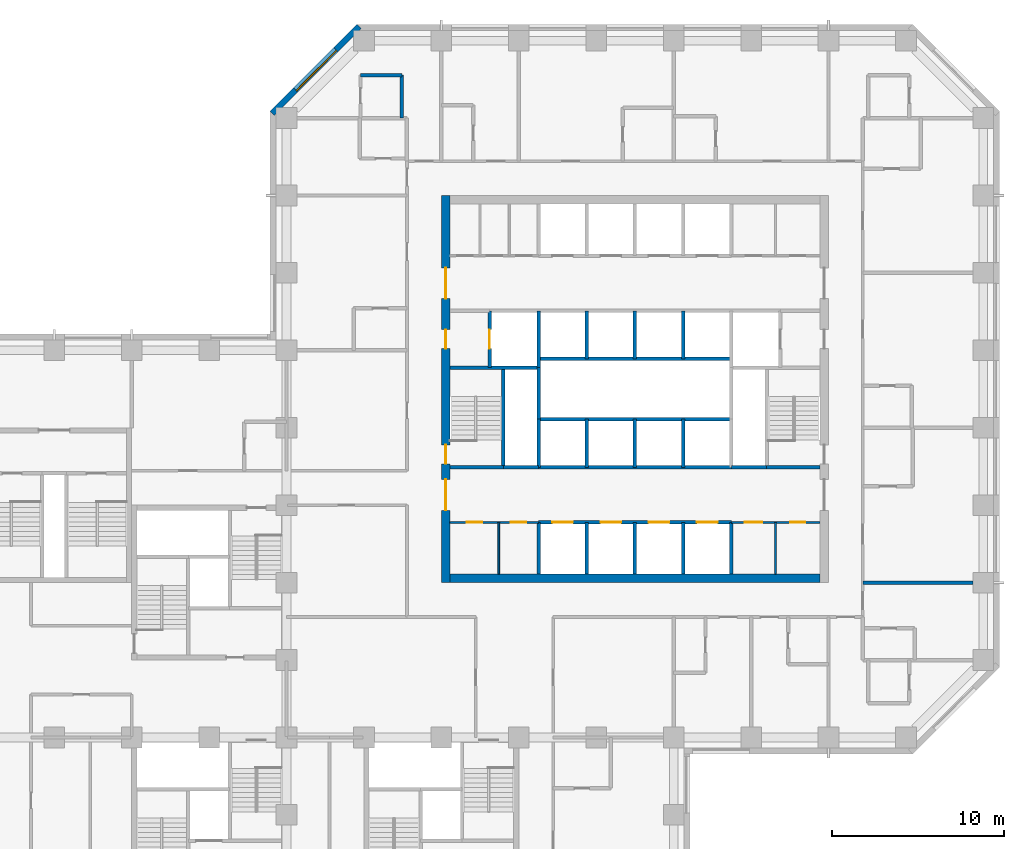
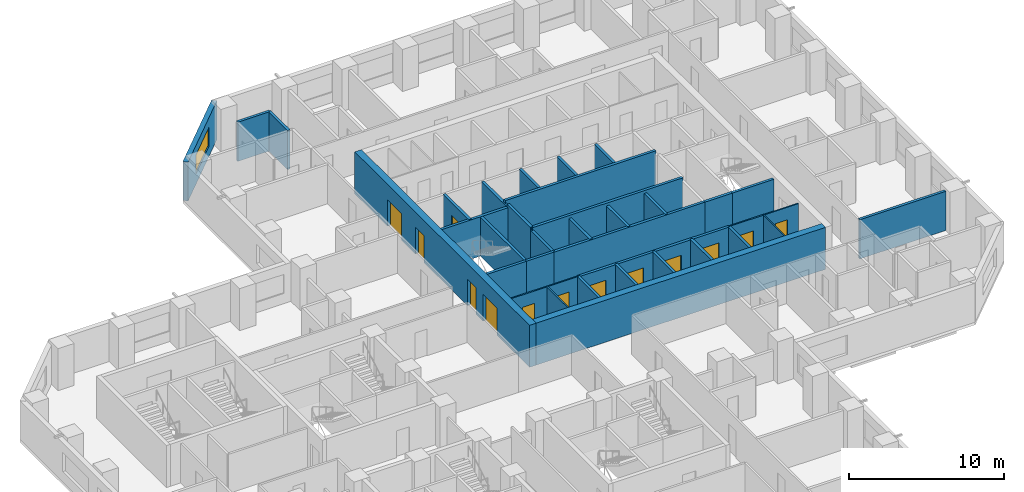
# One storey, part 8 of 13: 35 walls, 13 doors, 1 window, 14 openings.
"""IFC4 building model written with IfcOpenShell, lengths in metres."""

from ifc_helpers import new_model, si_unit, direction, frame, frame_2d, origin, place, context, subcontext, project, spatial, rectangle, extrude, material, layer, layer_set, constituent, constituent_set, type_object, element, fill, save


model = new_model("IFC4")

# Units and contexts
model_context = context("Model", 3, precision=1e-05, world=origin(), true_north=direction((0.0, 1.0)))
body_context = subcontext(model_context, "Body", "Model", "MODEL_VIEW")
ifc_project = project(units=[si_unit("LENGTHUNIT", "METRE"), si_unit("AREAUNIT", "SQUARE_METRE"), si_unit("VOLUMEUNIT", "CUBIC_METRE"), si_unit("PLANEANGLEUNIT", "RADIAN"), si_unit("MASSUNIT", "GRAM", prefix="KILO")], contexts=[model_context])

# Site, building, storey
site_placement = place(None, origin())
site = spatial("IfcSite", under=ifc_project, at=site_placement, CompositionType="ELEMENT")
building_placement = place(site_placement, origin())
building = spatial("IfcBuilding", under=site, at=building_placement, Name="Quoin Convention Tower", CompositionType="ELEMENT")
storey_placement = place(building_placement, frame((0.0, 0.0, 49.5)))
storey = spatial("IfcBuildingStorey", under=building, at=storey_placement, Name="L12", CompositionType="ELEMENT", Elevation=49.5)

# Wall, opening, window
ifc_material_1 = material(Name="Brick masonry", Category="masonry")
ifc_layer_1 = layer(ifc_material_1, 0.35009765625)
ifc_layer_set_1 = layer_set([ifc_layer_1], Name="Brick masonry")
wall_type_1 = type_object("IfcWallType", Name="Brick facade wall", PredefinedType="STANDARD", material=ifc_layer_set_1)
wall_1_placement = place(storey_placement, frame((40.230224609375, 81.826416015625, 0.0), z_axis=(0.0, 0.0, 1.0), x_axis=(-0.707106781187, -0.707106781187, 0.0)))
wall_1 = element("IfcWall", 1, at=wall_1_placement, inside=storey, type_object=wall_type_1, Name="fw-L12-40500_81000", PredefinedType="STANDARD", context=body_context, shape_type="SweptSolid", body=[
    extrude(rectangle(XDim=7.151123046875, YDim=0.35009765625, at=frame_2d((3.57568359375, 0.0))), origin(), (0.0, 0.0, 1.0), 3.054931640625),
])
opening_1_placement = place(wall_1_placement, frame((1.925537109375, 0.0, 0.800048828125)))
opening_1 = element("IfcOpeningElement", 2, at=opening_1_placement, cuts=wall_1, Name="Opening W-01", PredefinedType="OPENING", context=body_context, shape_type="SweptSolid", body=[
    extrude(rectangle(XDim=3.300048828125, YDim=1.5, at=frame_2d((1.64990234375, 0.75))), frame((0.0, 0.18505859375, 0.0), z_axis=(0.0, -1.0, 0.0), x_axis=(1.0, 0.0, 0.0)), (0.0, 0.0, 1.0), 0.3701171875),
])
ifc_material_2 = material(Name="Aluminium", Category="aluminium")
ifc_constituent_1 = constituent(ifc_material_2, Name="Frame")
ifc_material_3 = material(Name="Insulated glass", Category="glass")
ifc_constituent_2 = constituent(ifc_material_3, Name="Glazing")
ifc_constituent_set = constituent_set(constituents=[ifc_constituent_1, ifc_constituent_2], Name="Aluminium")
window_type = type_object("IfcWindowType", Name="Hotel strip window", PartitioningType="DOUBLE_PANEL_VERTICAL", PredefinedType="WINDOW", material=ifc_constituent_set)
window_placement = place(opening_1_placement, origin())
window = element("IfcWindow", 3, at=window_placement, inside=storey, type_object=window_type, Name="win-L12-37702_79298", OverallHeight=1.5, OverallWidth=3.300048828125, PartitioningType="SINGLE_PANEL", PredefinedType="WINDOW", context=body_context, shape_type="SweptSolid", body=[
    extrude(rectangle(XDim=3.300048828125, YDim=1.5, at=frame_2d((1.64990234375, 0.75))), frame((0.0, 0.0849609375, 0.0), z_axis=(0.0, -1.0, 0.0), x_axis=(1.0, 0.0, 0.0)), (0.0, 0.0, 1.0), 0.06005859375),
])
fill(opening_1, window)

# Wall, openings, doors
ifc_material_4 = material(Name="Plasterboard")
ifc_layer_2 = layer(ifc_material_4, 0.012451171875, Name="Finish")
ifc_material_5 = material(Name="Steel stud framing", Category="steel")
ifc_layer_3 = layer(ifc_material_5, 0.074951171875, Name="Structure")
ifc_layer_4 = layer(ifc_material_4, 0.012451171875, Name="Finish")
ifc_layer_set_2 = layer_set([ifc_layer_2, ifc_layer_3, ifc_layer_4], Name="Steel stud framing")
wall_type_2 = type_object("IfcWallType", Name="Core partition wall", PredefinedType="PARTITIONING", material=ifc_layer_set_2)
wall_2_placement = place(storey_placement, frame((45.5, 53.0, 0.0), z_axis=(0.0, 0.0, 1.0), x_axis=(1.0, 0.0, 0.0)))
wall_2 = element("IfcWall", 4, at=wall_2_placement, inside=storey, type_object=wall_type_2, Name="cr-C1-L12-h3500_500", PredefinedType="PARTITIONING", context=body_context, shape_type="SweptSolid", body=[
    extrude(rectangle(XDim=5.14990234375, YDim=0.10009765625, at=frame_2d((2.574951171875, 0.0))), origin(), (0.0, 0.0, 1.0), 3.080078125),
])
opening_2_placement = place(wall_2_placement, frame((0.96630859375, 0.0, 0.0)))
opening_2 = element("IfcOpeningElement", 5, at=opening_2_placement, cuts=wall_2, Name="Opening DCV4-36", PredefinedType="OPENING", context=body_context, shape_type="SweptSolid", body=[
    extrude(rectangle(XDim=0.89990234375, YDim=2.10009765625, at=frame_2d((0.449951171875, 1.050048828125))), frame((0.0, 0.06005859375, 0.0), z_axis=(0.0, -1.0, 0.0), x_axis=(1.0, 0.0, 0.0)), (0.0, 0.0, 1.0), 0.1201171875),
])
opening_3_placement = place(wall_2_placement, frame((3.541259765625, 0.0, 0.0)))
opening_3 = element("IfcOpeningElement", 6, at=opening_3_placement, cuts=wall_2, Name="Opening DCV4-37", PredefinedType="OPENING", context=body_context, shape_type="SweptSolid", body=[
    extrude(rectangle(XDim=0.89990234375, YDim=2.10009765625, at=frame_2d((0.449951171875, 1.050048828125))), frame((0.0, 0.06005859375, 0.0), z_axis=(0.0, -1.0, 0.0), x_axis=(1.0, 0.0, 0.0)), (0.0, 0.0, 1.0), 0.1201171875),
])
ifc_material_6 = material(Name="Steel door leaf", Category="steel")
door_type_1 = type_object("IfcDoorType", Name="Core room door 900 x 2100", OperationType="SINGLE_SWING_LEFT", PredefinedType="DOOR", material=ifc_material_6)
door_1_placement = place(opening_2_placement, frame((0.89990234375, 0.0, 0.0), z_axis=(0.0, 0.0, 1.0), x_axis=(-1.0, 0.0, 0.0)))
door_1 = element("IfcDoor", 7, at=door_1_placement, inside=storey, type_object=door_type_1, Name="cd-C1-L12-CSW0-lobA-CD1214", OperationType="SINGLE_SWING_LEFT", OverallHeight=2.10009765625, OverallWidth=0.89990234375, PredefinedType="DOOR", context=body_context, shape_type="SweptSolid", body=[
    extrude(rectangle(XDim=0.89990234375, YDim=2.10009765625, at=frame_2d((0.449951171875, 1.050048828125))), frame((0.0, 0.02490234375, 0.0), z_axis=(0.0, -1.0, 0.0), x_axis=(1.0, 0.0, 0.0)), (0.0, 0.0, 1.0), 0.050048828125),
])
fill(opening_2, door_1)
door_2_placement = place(opening_3_placement, frame((0.89990234375, 0.0, 0.0), z_axis=(0.0, 0.0, 1.0), x_axis=(-1.0, 0.0, 0.0)))
door_2 = element("IfcDoor", 8, at=door_2_placement, inside=storey, type_object=door_type_1, Name="cd-C1-L12-CSW1-lobA-CD1215", OperationType="SINGLE_SWING_LEFT", OverallHeight=2.10009765625, OverallWidth=0.89990234375, PredefinedType="DOOR", context=body_context, shape_type="SweptSolid", body=[
    extrude(rectangle(XDim=0.89990234375, YDim=2.10009765625, at=frame_2d((0.449951171875, 1.050048828125))), frame((0.0, 0.02490234375, 0.0), z_axis=(0.0, -1.0, 0.0), x_axis=(1.0, 0.0, 0.0)), (0.0, 0.0, 1.0), 0.050048828125),
])
fill(opening_3, door_2)

wall_3_placement = place(storey_placement, frame((61.85009765625, 53.0, 0.0), z_axis=(0.0, 0.0, 1.0), x_axis=(1.0, 0.0, 0.0)))
wall_3 = element("IfcWall", 9, at=wall_3_placement, inside=storey, type_object=wall_type_2, Name="cr-C1-L12-h3500_16850", PredefinedType="PARTITIONING", context=body_context, shape_type="SweptSolid", body=[
    extrude(rectangle(XDim=5.14990234375, YDim=0.10009765625, at=frame_2d((2.574951171875, 0.0))), origin(), (0.0, 0.0, 1.0), 3.080078125),
])
opening_4_placement = place(wall_3_placement, frame((3.41259765625, 0.0, 0.0)))
opening_4 = element("IfcOpeningElement", 10, at=opening_4_placement, cuts=wall_3, Name="Opening DCV4-23", PredefinedType="OPENING", context=body_context, shape_type="SweptSolid", body=[
    extrude(rectangle(XDim=0.89990234375, YDim=2.10009765625, at=frame_2d((0.449951171875, 1.050048828125))), frame((0.0, 0.06005859375, 0.0), z_axis=(0.0, -1.0, 0.0), x_axis=(1.0, 0.0, 0.0)), (0.0, 0.0, 1.0), 0.1201171875),
])
opening_5_placement = place(wall_3_placement, frame((0.78759765625, 0.0, 0.0)))
opening_5 = element("IfcOpeningElement", 11, at=opening_5_placement, cuts=wall_3, Name="Opening DCV4-21", PredefinedType="OPENING", context=body_context, shape_type="SweptSolid", body=[
    extrude(rectangle(XDim=1.0, YDim=2.10009765625, at=frame_2d((0.5, 1.050048828125))), frame((0.0, 0.06005859375, 0.0), z_axis=(0.0, -1.0, 0.0), x_axis=(1.0, 0.0, 0.0)), (0.0, 0.0, 1.0), 0.1201171875),
])
door_type_2 = type_object("IfcDoorType", Name="Core room door 1000 x 2100", OperationType="SINGLE_SWING_LEFT", PredefinedType="DOOR", material=ifc_material_6)
door_3_placement = place(opening_5_placement, frame((1.0, 0.0, 0.0), z_axis=(0.0, 0.0, 1.0), x_axis=(-1.0, 0.0, 0.0)))
door_3 = element("IfcDoor", 12, at=door_3_placement, inside=storey, type_object=door_type_2, Name="cd-C1-L12-CSE1-lobA-CD1213", OperationType="SINGLE_SWING_RIGHT", OverallHeight=2.10009765625, OverallWidth=1.0, PredefinedType="DOOR", context=body_context, shape_type="SweptSolid", body=[
    extrude(rectangle(XDim=1.0, YDim=2.10009765625, at=frame_2d((0.5, 1.050048828125))), frame((0.0, 0.02490234375, 0.0), z_axis=(0.0, -1.0, 0.0), x_axis=(1.0, 0.0, 0.0)), (0.0, 0.0, 1.0), 0.050048828125),
])
fill(opening_5, door_3)
door_4_placement = place(opening_4_placement, frame((0.89990234375, 0.0, 0.0), z_axis=(0.0, 0.0, 1.0), x_axis=(-1.0, 0.0, 0.0)))
door_4 = element("IfcDoor", 13, at=door_4_placement, inside=storey, type_object=door_type_1, Name="cd-C1-L12-CSE0-lobA-CD1212", OperationType="SINGLE_SWING_LEFT", OverallHeight=2.10009765625, OverallWidth=0.89990234375, PredefinedType="DOOR", context=body_context, shape_type="SweptSolid", body=[
    extrude(rectangle(XDim=0.89990234375, YDim=2.10009765625, at=frame_2d((0.449951171875, 1.050048828125))), frame((0.0, 0.02490234375, 0.0), z_axis=(0.0, -1.0, 0.0), x_axis=(1.0, 0.0, 0.0)), (0.0, 0.0, 1.0), 0.050048828125),
])
fill(opening_4, door_4)

# Walls
for number, where, z_axis, x_axis, name in (
    (14, (48.33251953125, 50.0, 0.0), (0.0, 0.0, 1.0), (0.0, 1.0, 0.0), "cr-C1-L12-v3332_500"),
    (15, (64.425048828125, 50.0, 0.0), (0.0, 0.0, 1.0), (0.0, 1.0, 0.0), "cr-C1-L12-v19425_500"),
):
    element("IfcWall", number, at=place(storey_placement, frame(where, z_axis=z_axis, x_axis=x_axis)), inside=storey, type_object=wall_type_2, Name=name, PredefinedType="PARTITIONING", context=body_context, shape_type="SweptSolid", body=[
        extrude(rectangle(XDim=3.0, YDim=0.10009765625, at=frame_2d((1.5, 0.0))), origin(), (0.0, 0.0, 1.0), 3.080078125),
    ])

# Wall, openings, doors
ifc_material_7 = material(Name="Concrete C50", Category="concrete")
ifc_layer_5 = layer(ifc_material_7, 0.199951171875)
ifc_layer_set_3 = layer_set([ifc_layer_5], Name="Concrete C50")
wall_type_3 = type_object("IfcWallType", Name="Core shaft wall", PredefinedType="SOLIDWALL", material=ifc_layer_set_3)
wall_4_placement = place(storey_placement, frame((50.64990234375, 53.0, 0.0), z_axis=(0.0, 0.0, 1.0), x_axis=(1.0, 0.0, 0.0)))
wall_4 = element("IfcWall", 16, at=wall_4_placement, inside=storey, type_object=wall_type_3, Name="cr-C1-L12-h3500_5650", PredefinedType="SOLIDWALL", context=body_context, shape_type="SweptSolid", body=[
    extrude(rectangle(XDim=11.2001953125, YDim=0.199951171875, at=frame_2d((5.60009765625, 0.0))), origin(), (0.0, 0.0, 1.0), 3.080078125),
])
opening_6_placement = place(wall_4_placement, frame((0.800048828125, 0.0, 0.0)))
opening_6 = element("IfcOpeningElement", 17, at=opening_6_placement, cuts=wall_4, Name="Opening LDL1", PredefinedType="OPENING", context=body_context, shape_type="SweptSolid", body=[
    extrude(rectangle(XDim=1.199951171875, YDim=2.10009765625, at=frame_2d((0.60009765625, 1.050048828125))), frame((0.0, 0.10986328125, 0.0), z_axis=(0.0, -1.0, 0.0), x_axis=(1.0, 0.0, 0.0)), (0.0, 0.0, 1.0), 0.219970703125),
])
opening_7_placement = place(wall_4_placement, frame((3.60009765625, 0.0, 0.0)))
opening_7 = element("IfcOpeningElement", 18, at=opening_7_placement, cuts=wall_4, Name="Opening LDL2", PredefinedType="OPENING", context=body_context, shape_type="SweptSolid", body=[
    extrude(rectangle(XDim=1.199951171875, YDim=2.10009765625, at=frame_2d((0.60009765625, 1.050048828125))), frame((0.0, 0.10986328125, 0.0), z_axis=(0.0, -1.0, 0.0), x_axis=(1.0, 0.0, 0.0)), (0.0, 0.0, 1.0), 0.219970703125),
])
opening_8_placement = place(wall_4_placement, frame((6.39990234375, 0.0, 0.0)))
opening_8 = element("IfcOpeningElement", 19, at=opening_8_placement, cuts=wall_4, Name="Opening LDL3", PredefinedType="OPENING", context=body_context, shape_type="SweptSolid", body=[
    extrude(rectangle(XDim=1.199951171875, YDim=2.10009765625, at=frame_2d((0.60009765625, 1.050048828125))), frame((0.0, 0.10986328125, 0.0), z_axis=(0.0, -1.0, 0.0), x_axis=(1.0, 0.0, 0.0)), (0.0, 0.0, 1.0), 0.219970703125),
])
opening_9_placement = place(wall_4_placement, frame((9.199951171875, 0.0, 0.0)))
opening_9 = element("IfcOpeningElement", 20, at=opening_9_placement, cuts=wall_4, Name="Opening LDL4", PredefinedType="OPENING", context=body_context, shape_type="SweptSolid", body=[
    extrude(rectangle(XDim=1.199951171875, YDim=2.10009765625, at=frame_2d((0.60009765625, 1.050048828125))), frame((0.0, 0.10986328125, 0.0), z_axis=(0.0, -1.0, 0.0), x_axis=(1.0, 0.0, 0.0)), (0.0, 0.0, 1.0), 0.219970703125),
])
door_type_3 = type_object("IfcDoorType", Name="Lift landing door 1200 x 2100", OperationType="DOUBLE_DOOR_SLIDING", PredefinedType="DOOR", material=ifc_material_6)
door_5_placement = place(opening_6_placement, origin())
door_5 = element("IfcDoor", 21, at=door_5_placement, inside=storey, type_object=door_type_3, Name="cd-C1-L12-R10-lobA-LDL1", OperationType="DOUBLE_DOOR_SLIDING", OverallHeight=2.10009765625, OverallWidth=1.199951171875, PredefinedType="DOOR", context=body_context, shape_type="SweptSolid", body=[
    extrude(rectangle(XDim=1.199951171875, YDim=2.10009765625, at=frame_2d((0.60009765625, 1.050048828125))), frame((0.0, 0.02490234375, 0.0), z_axis=(0.0, -1.0, 0.0), x_axis=(1.0, 0.0, 0.0)), (0.0, 0.0, 1.0), 0.050048828125),
])
fill(opening_6, door_5)
door_6_placement = place(opening_7_placement, origin())
door_6 = element("IfcDoor", 22, at=door_6_placement, inside=storey, type_object=door_type_3, Name="cd-C1-L12-R11-lobA-LDL2", OperationType="DOUBLE_DOOR_SLIDING", OverallHeight=2.10009765625, OverallWidth=1.199951171875, PredefinedType="DOOR", context=body_context, shape_type="SweptSolid", body=[
    extrude(rectangle(XDim=1.199951171875, YDim=2.10009765625, at=frame_2d((0.60009765625, 1.050048828125))), frame((0.0, 0.02490234375, 0.0), z_axis=(0.0, -1.0, 0.0), x_axis=(1.0, 0.0, 0.0)), (0.0, 0.0, 1.0), 0.050048828125),
])
fill(opening_7, door_6)
door_7_placement = place(opening_8_placement, origin())
door_7 = element("IfcDoor", 23, at=door_7_placement, inside=storey, type_object=door_type_3, Name="cd-C1-L12-R12-lobA-LDL3", OperationType="DOUBLE_DOOR_SLIDING", OverallHeight=2.10009765625, OverallWidth=1.199951171875, PredefinedType="DOOR", context=body_context, shape_type="SweptSolid", body=[
    extrude(rectangle(XDim=1.199951171875, YDim=2.10009765625, at=frame_2d((0.60009765625, 1.050048828125))), frame((0.0, 0.02490234375, 0.0), z_axis=(0.0, -1.0, 0.0), x_axis=(1.0, 0.0, 0.0)), (0.0, 0.0, 1.0), 0.050048828125),
])
fill(opening_8, door_7)
door_8_placement = place(opening_9_placement, origin())
door_8 = element("IfcDoor", 24, at=door_8_placement, inside=storey, type_object=door_type_3, Name="cd-C1-L12-R13-lobA-LDL4", OperationType="DOUBLE_DOOR_SLIDING", OverallHeight=2.10009765625, OverallWidth=1.199951171875, PredefinedType="DOOR", context=body_context, shape_type="SweptSolid", body=[
    extrude(rectangle(XDim=1.199951171875, YDim=2.10009765625, at=frame_2d((0.60009765625, 1.050048828125))), frame((0.0, 0.02490234375, 0.0), z_axis=(0.0, -1.0, 0.0), x_axis=(1.0, 0.0, 0.0)), (0.0, 0.0, 1.0), 0.050048828125),
])
fill(opening_9, door_8)

# Walls
for number, where, z_axis, x_axis, name in (
    (25, (48.60009765625, 56.199951171875, 0.0), (0.0, 0.0, 1.0), (1.0, 0.0, 0.0), "cr-C1-L12-h6700_3600"),
    (26, (61.85009765625, 56.199951171875, 0.0), (0.0, 0.0, 1.0), (1.0, 0.0, 0.0), "cr-C1-L12-h6700_16850"),
):
    element("IfcWall", number, at=place(storey_placement, frame(where, z_axis=z_axis, x_axis=x_axis)), inside=storey, type_object=wall_type_3, Name=name, PredefinedType="SOLIDWALL", context=body_context, shape_type="SweptSolid", body=[
        extrude(rectangle(XDim=2.0498046875, YDim=0.199951171875, at=frame_2d((1.02490234375, 0.0))), origin(), (0.0, 0.0, 1.0), 3.080078125),
    ])
wall_5_placement = place(storey_placement, frame((45.5, 56.199951171875, 0.0), z_axis=(0.0, 0.0, 1.0), x_axis=(1.0, 0.0, 0.0)))
element("IfcWall", 27, at=wall_5_placement, inside=storey, type_object=wall_type_3, Name="cr-C1-L12-h6700_500", PredefinedType="SOLIDWALL", context=body_context, shape_type="SweptSolid", body=[
    extrude(rectangle(XDim=3.10009765625, YDim=0.199951171875, at=frame_2d((1.550048828125, 0.0))), origin(), (0.0, 0.0, 1.0), 3.080078125),
])
wall_6_placement = place(storey_placement, frame((50.64990234375, 56.199951171875, 0.0), z_axis=(0.0, 0.0, 1.0), x_axis=(1.0, 0.0, 0.0)))
element("IfcWall", 28, at=wall_6_placement, inside=storey, type_object=wall_type_3, Name="cr-C1-L12-h6700_5650", PredefinedType="SOLIDWALL", context=body_context, shape_type="SweptSolid", body=[
    extrude(rectangle(XDim=11.2001953125, YDim=0.199951171875, at=frame_2d((5.60009765625, 0.0))), origin(), (0.0, 0.0, 1.0), 3.080078125),
])
wall_7_placement = place(storey_placement, frame((63.89990234375, 56.199951171875, 0.0), z_axis=(0.0, 0.0, 1.0), x_axis=(1.0, 0.0, 0.0)))
element("IfcWall", 29, at=wall_7_placement, inside=storey, type_object=wall_type_3, Name="cr-C1-L12-h6700_18900", PredefinedType="SOLIDWALL", context=body_context, shape_type="SweptSolid", body=[
    extrude(rectangle(XDim=3.10009765625, YDim=0.199951171875, at=frame_2d((1.550048828125, 0.0))), origin(), (0.0, 0.0, 1.0), 3.080078125),
])
wall_8_placement = place(storey_placement, frame((45.5, 62.0, 0.0), z_axis=(0.0, 0.0, 1.0), x_axis=(1.0, 0.0, 0.0)))
element("IfcWall", 30, at=wall_8_placement, inside=storey, type_object=wall_type_3, Name="cr-C1-L12-h12500_500", PredefinedType="SOLIDWALL", context=body_context, shape_type="SweptSolid", body=[
    extrude(rectangle(XDim=5.14990234375, YDim=0.199951171875, at=frame_2d((2.574951171875, 0.0))), origin(), (0.0, 0.0, 1.0), 3.080078125),
])

# Wall, opening, door
wall_9_placement = place(storey_placement, frame((47.800048828125, 62.0, 0.0), z_axis=(0.0, 0.0, 1.0), x_axis=(0.0, 1.0, 0.0)))
wall_9 = element("IfcWall", 31, at=wall_9_placement, inside=storey, type_object=wall_type_3, Name="cr-C1-L12-v2800_12500", PredefinedType="SOLIDWALL", context=body_context, shape_type="SweptSolid", body=[
    extrude(rectangle(XDim=3.300048828125, YDim=0.199951171875, at=frame_2d((1.64990234375, 0.0))), origin(), (0.0, 0.0, 1.0), 3.080078125),
])
opening_10_placement = place(wall_9_placement, frame((1.10009765625, 0.0, 0.0)))
opening_10 = element("IfcOpeningElement", 32, at=opening_10_placement, cuts=wall_9, Name="Opening LDFL1", PredefinedType="OPENING", context=body_context, shape_type="SweptSolid", body=[
    extrude(rectangle(XDim=1.10009765625, YDim=2.10009765625, at=frame_2d((0.550048828125, 1.050048828125))), frame((0.0, 0.10986328125, 0.0), z_axis=(0.0, -1.0, 0.0), x_axis=(1.0, 0.0, 0.0)), (0.0, 0.0, 1.0), 0.219970703125),
])
door_type_4 = type_object("IfcDoorType", Name="Lift landing door 1100 x 2100", OperationType="DOUBLE_DOOR_SLIDING", PredefinedType="DOOR", material=ifc_material_6)
door_9_placement = place(opening_10_placement, origin())
door_9 = element("IfcDoor", 33, at=door_9_placement, inside=storey, type_object=door_type_4, Name="cd-C1-L12-FLW-FFW-LDFL1", OperationType="DOUBLE_DOOR_SLIDING", OverallHeight=2.10009765625, OverallWidth=1.10009765625, PredefinedType="DOOR", context=body_context, shape_type="SweptSolid", body=[
    extrude(rectangle(XDim=1.10009765625, YDim=2.10009765625, at=frame_2d((0.550048828125, 1.050048828125))), frame((0.0, 0.02490234375, 0.0), z_axis=(0.0, -1.0, 0.0), x_axis=(1.0, 0.0, 0.0)), (0.0, 0.0, 1.0), 0.050048828125),
])
fill(opening_10, door_9)

# Walls
wall_10_placement = place(storey_placement, frame((48.60009765625, 56.199951171875, 0.0), z_axis=(0.0, 0.0, 1.0), x_axis=(0.0, 1.0, 0.0)))
element("IfcWall", 34, at=wall_10_placement, inside=storey, type_object=wall_type_3, Name="cr-C1-L12-v3600_6700", PredefinedType="SOLIDWALL", context=body_context, shape_type="SweptSolid", body=[
    extrude(rectangle(XDim=5.800048828125, YDim=0.199951171875, at=frame_2d((2.89990234375, 0.0))), origin(), (0.0, 0.0, 1.0), 3.080078125),
])
wall_11_placement = place(storey_placement, frame((50.64990234375, 50.0, 0.0), z_axis=(0.0, 0.0, 1.0), x_axis=(0.0, 1.0, 0.0)))
element("IfcWall", 35, at=wall_11_placement, inside=storey, type_object=wall_type_3, Name="cr-C1-L12-v5650_500", PredefinedType="SOLIDWALL", context=body_context, shape_type="SweptSolid", body=[
    extrude(rectangle(XDim=3.0, YDim=0.199951171875, at=frame_2d((1.5, 0.0))), origin(), (0.0, 0.0, 1.0), 3.080078125),
])
wall_12_placement = place(storey_placement, frame((50.64990234375, 56.199951171875, 0.0), z_axis=(0.0, 0.0, 1.0), x_axis=(0.0, 1.0, 0.0)))
element("IfcWall", 36, at=wall_12_placement, inside=storey, type_object=wall_type_3, Name="cr-C1-L12-v5650_6700", PredefinedType="SOLIDWALL", context=body_context, shape_type="SweptSolid", body=[
    extrude(rectangle(XDim=2.800048828125, YDim=0.199951171875, at=frame_2d((1.39990234375, 0.0))), origin(), (0.0, 0.0, 1.0), 3.080078125),
])
wall_13_placement = place(storey_placement, frame((50.64990234375, 62.0, 0.0), z_axis=(0.0, 0.0, 1.0), x_axis=(0.0, 1.0, 0.0)))
element("IfcWall", 37, at=wall_13_placement, inside=storey, type_object=wall_type_3, Name="cr-C1-L12-v5650_12500", PredefinedType="SOLIDWALL", context=body_context, shape_type="SweptSolid", body=[
    extrude(rectangle(XDim=3.300048828125, YDim=0.199951171875, at=frame_2d((1.64990234375, 0.0))), origin(), (0.0, 0.0, 1.0), 3.080078125),
])
wall_14_placement = place(storey_placement, frame((53.449951171875, 50.0, 0.0), z_axis=(0.0, 0.0, 1.0), x_axis=(0.0, 1.0, 0.0)))
element("IfcWall", 38, at=wall_14_placement, inside=storey, type_object=wall_type_3, Name="cr-C1-L12-v8450_500", PredefinedType="SOLIDWALL", context=body_context, shape_type="SweptSolid", body=[
    extrude(rectangle(XDim=3.0, YDim=0.199951171875, at=frame_2d((1.5, 0.0))), origin(), (0.0, 0.0, 1.0), 3.080078125),
])
for number, where, z_axis, x_axis, name in (
    (39, (53.449951171875, 56.199951171875, 0.0), (0.0, 0.0, 1.0), (0.0, 1.0, 0.0), "cr-C1-L12-v8450_6700"),
    (40, (53.449951171875, 62.5, 0.0), (0.0, 0.0, 1.0), (0.0, 1.0, 0.0), "cr-C1-L12-v8450_13000"),
):
    element("IfcWall", number, at=place(storey_placement, frame(where, z_axis=z_axis, x_axis=x_axis)), inside=storey, type_object=wall_type_3, Name=name, PredefinedType="SOLIDWALL", context=body_context, shape_type="SweptSolid", body=[
        extrude(rectangle(XDim=2.800048828125, YDim=0.199951171875, at=frame_2d((1.39990234375, 0.0))), origin(), (0.0, 0.0, 1.0), 3.080078125),
    ])
wall_15_placement = place(storey_placement, frame((56.25, 50.0, 0.0), z_axis=(0.0, 0.0, 1.0), x_axis=(0.0, 1.0, 0.0)))
element("IfcWall", 41, at=wall_15_placement, inside=storey, type_object=wall_type_3, Name="cr-C1-L12-v11250_500", PredefinedType="SOLIDWALL", context=body_context, shape_type="SweptSolid", body=[
    extrude(rectangle(XDim=3.0, YDim=0.199951171875, at=frame_2d((1.5, 0.0))), origin(), (0.0, 0.0, 1.0), 3.080078125),
])
for number, where, z_axis, x_axis, name in (
    (42, (56.25, 56.199951171875, 0.0), (0.0, 0.0, 1.0), (0.0, 1.0, 0.0), "cr-C1-L12-v11250_6700"),
    (43, (56.25, 62.5, 0.0), (0.0, 0.0, 1.0), (0.0, 1.0, 0.0), "cr-C1-L12-v11250_13000"),
):
    element("IfcWall", number, at=place(storey_placement, frame(where, z_axis=z_axis, x_axis=x_axis)), inside=storey, type_object=wall_type_3, Name=name, PredefinedType="SOLIDWALL", context=body_context, shape_type="SweptSolid", body=[
        extrude(rectangle(XDim=2.800048828125, YDim=0.199951171875, at=frame_2d((1.39990234375, 0.0))), origin(), (0.0, 0.0, 1.0), 3.080078125),
    ])
wall_16_placement = place(storey_placement, frame((59.050048828125, 50.0, 0.0), z_axis=(0.0, 0.0, 1.0), x_axis=(0.0, 1.0, 0.0)))
element("IfcWall", 44, at=wall_16_placement, inside=storey, type_object=wall_type_3, Name="cr-C1-L12-v14050_500", PredefinedType="SOLIDWALL", context=body_context, shape_type="SweptSolid", body=[
    extrude(rectangle(XDim=3.0, YDim=0.199951171875, at=frame_2d((1.5, 0.0))), origin(), (0.0, 0.0, 1.0), 3.080078125),
])
for number, where, z_axis, x_axis, name in (
    (45, (59.050048828125, 56.199951171875, 0.0), (0.0, 0.0, 1.0), (0.0, 1.0, 0.0), "cr-C1-L12-v14050_6700"),
    (46, (59.050048828125, 62.5, 0.0), (0.0, 0.0, 1.0), (0.0, 1.0, 0.0), "cr-C1-L12-v14050_13000"),
):
    element("IfcWall", number, at=place(storey_placement, frame(where, z_axis=z_axis, x_axis=x_axis)), inside=storey, type_object=wall_type_3, Name=name, PredefinedType="SOLIDWALL", context=body_context, shape_type="SweptSolid", body=[
        extrude(rectangle(XDim=2.800048828125, YDim=0.199951171875, at=frame_2d((1.39990234375, 0.0))), origin(), (0.0, 0.0, 1.0), 3.080078125),
    ])
wall_17_placement = place(storey_placement, frame((61.85009765625, 50.0, 0.0), z_axis=(0.0, 0.0, 1.0), x_axis=(0.0, 1.0, 0.0)))
element("IfcWall", 47, at=wall_17_placement, inside=storey, type_object=wall_type_3, Name="cr-C1-L12-v16850_500", PredefinedType="SOLIDWALL", context=body_context, shape_type="SweptSolid", body=[
    extrude(rectangle(XDim=3.0, YDim=0.199951171875, at=frame_2d((1.5, 0.0))), origin(), (0.0, 0.0, 1.0), 3.080078125),
])
ifc_layer_6 = layer(ifc_material_7, 0.199951171875)
ifc_layer_set_4 = layer_set([ifc_layer_6], Name="Concrete C50")
wall_type_4 = type_object("IfcWallType", Name="Core shaft wall to the floor level over", PredefinedType="SOLIDWALL", material=ifc_layer_set_4)
for number, where, z_axis, x_axis, name in (
    (48, (50.64990234375, 59.0, 0.0), (0.0, 0.0, 1.0), (1.0, 0.0, 0.0), "cr-C1-L12-h9500_5650"),
    (49, (50.64990234375, 62.5, 0.0), (0.0, 0.0, 1.0), (1.0, 0.0, 0.0), "cr-C1-L12-h13000_5650"),
):
    element("IfcWall", number, at=place(storey_placement, frame(where, z_axis=z_axis, x_axis=x_axis)), inside=storey, type_object=wall_type_4, Name=name, PredefinedType="SOLIDWALL", context=body_context, shape_type="SweptSolid", body=[
        extrude(rectangle(XDim=11.2001953125, YDim=0.199951171875, at=frame_2d((5.60009765625, 0.0))), origin(), (0.0, 0.0, 1.0), 3.300048828125),
    ])
wall_18_placement = place(storey_placement, frame((50.64990234375, 59.0, 0.0), z_axis=(0.0, 0.0, 1.0), x_axis=(0.0, 1.0, 0.0)))
element("IfcWall", 50, at=wall_18_placement, inside=storey, type_object=wall_type_4, Name="cr-C1-L12-v5650_9500", PredefinedType="SOLIDWALL", context=body_context, shape_type="SweptSolid", body=[
    extrude(rectangle(XDim=3.0, YDim=0.199951171875, at=frame_2d((1.5, 0.0))), origin(), (0.0, 0.0, 1.0), 3.300048828125),
])
ifc_material_8 = material(Name="Concrete C80", Category="concrete")
ifc_layer_7 = layer(ifc_material_8, 0.5)
ifc_layer_set_5 = layer_set([ifc_layer_7], Name="Concrete C80")
wall_type_5 = type_object("IfcWallType", Name="RC CORE WALL 500 C80", PredefinedType="SHEAR", material=ifc_layer_set_5)
wall_19_placement = place(storey_placement, frame((45.5, 49.75, 0.0), z_axis=(0.0, 0.0, 1.0), x_axis=(1.0, 0.0, 0.0)))
element("IfcWall", 51, at=wall_19_placement, inside=storey, type_object=wall_type_5, Name="cwl-C1-L12-S", PredefinedType="SHEAR", context=body_context, shape_type="SweptSolid", body=[
    extrude(rectangle(XDim=21.5, YDim=0.5, at=frame_2d((10.75, 0.0))), origin(), (0.0, 0.0, 1.0), 3.300048828125),
])

# Wall, openings, doors
wall_20_placement = place(storey_placement, frame((45.25, 49.5, 0.0), z_axis=(0.0, 0.0, 1.0), x_axis=(0.0, 1.0, 0.0)))
wall_20 = element("IfcWall", 52, at=wall_20_placement, inside=storey, type_object=wall_type_5, Name="cwl-C1-L12-W", PredefinedType="SHEAR", context=body_context, shape_type="SweptSolid", body=[
    extrude(rectangle(XDim=22.5, YDim=0.5, at=frame_2d((11.25, 0.0))), origin(), (0.0, 0.0, 1.0), 3.300048828125),
])
opening_11_placement = place(wall_20_placement, frame((4.199951171875, 0.0, 0.0)))
opening_11 = element("IfcOpeningElement", 53, at=opening_11_placement, cuts=wall_20, Name="Opening DCV4-41", PredefinedType="OPENING", context=body_context, shape_type="SweptSolid", body=[
    extrude(rectangle(XDim=1.800048828125, YDim=2.10009765625, at=frame_2d((0.89990234375, 1.050048828125))), frame((0.0, 0.260009765625, 0.0), z_axis=(0.0, -1.0, 0.0), x_axis=(1.0, 0.0, 0.0)), (0.0, 0.0, 1.0), 0.52001953125),
])
opening_12_placement = place(wall_20_placement, frame((6.89990234375, 0.0, 0.0)))
opening_12 = element("IfcOpeningElement", 54, at=opening_12_placement, cuts=wall_20, Name="Opening SD1", PredefinedType="OPENING", context=body_context, shape_type="SweptSolid", body=[
    extrude(rectangle(XDim=1.10009765625, YDim=2.10009765625, at=frame_2d((0.550048828125, 1.050048828125))), frame((0.0, 0.260009765625, 0.0), z_axis=(0.0, -1.0, 0.0), x_axis=(1.0, 0.0, 0.0)), (0.0, 0.0, 1.0), 0.52001953125),
])
opening_13_placement = place(wall_20_placement, frame((13.60009765625, 0.0, 0.0)))
opening_13 = element("IfcOpeningElement", 55, at=opening_13_placement, cuts=wall_20, Name="Opening DCV4-40", PredefinedType="OPENING", context=body_context, shape_type="SweptSolid", body=[
    extrude(rectangle(XDim=1.10009765625, YDim=2.10009765625, at=frame_2d((0.550048828125, 1.050048828125))), frame((0.0, 0.260009765625, 0.0), z_axis=(0.0, -1.0, 0.0), x_axis=(1.0, 0.0, 0.0)), (0.0, 0.0, 1.0), 0.52001953125),
])
opening_14_placement = place(wall_20_placement, frame((16.5, 0.0, 0.0)))
opening_14 = element("IfcOpeningElement", 56, at=opening_14_placement, cuts=wall_20, Name="Opening DCV4-41", PredefinedType="OPENING", context=body_context, shape_type="SweptSolid", body=[
    extrude(rectangle(XDim=1.800048828125, YDim=2.10009765625, at=frame_2d((0.89990234375, 1.050048828125))), frame((0.0, 0.260009765625, 0.0), z_axis=(0.0, -1.0, 0.0), x_axis=(1.0, 0.0, 0.0)), (0.0, 0.0, 1.0), 0.52001953125),
])
door_type_5 = type_object("IfcDoorType", Name="Fire-fighting lobby door 1100 x 2100", OperationType="SINGLE_SWING_LEFT", PredefinedType="DOOR", material=ifc_material_6)
door_10_placement = place(opening_13_placement, frame((1.10009765625, 0.0, 0.0), z_axis=(0.0, 0.0, 1.0), x_axis=(-1.0, 0.0, 0.0)))
door_10 = element("IfcDoor", 57, at=door_10_placement, inside=storey, type_object=door_type_5, Name="cd-C1-L12-FFW-W", OperationType="SINGLE_SWING_LEFT", OverallHeight=2.10009765625, OverallWidth=1.10009765625, PredefinedType="DOOR", context=body_context, shape_type="SweptSolid", body=[
    extrude(rectangle(XDim=1.10009765625, YDim=2.10009765625, at=frame_2d((0.550048828125, 1.050048828125))), frame((0.0, 0.02490234375, 0.0), z_axis=(0.0, -1.0, 0.0), x_axis=(1.0, 0.0, 0.0)), (0.0, 0.0, 1.0), 0.050048828125),
])
fill(opening_13, door_10)
door_type_6 = type_object("IfcDoorType", Name="Lift lobby door 1800 x 2100", OperationType="SINGLE_SWING_LEFT", PredefinedType="DOOR", material=ifc_material_6)
door_11_placement = place(opening_11_placement, frame((1.800048828125, 0.0, 0.0), z_axis=(0.0, 0.0, 1.0), x_axis=(-1.0, 0.0, 0.0)))
door_11 = element("IfcDoor", 58, at=door_11_placement, inside=storey, type_object=door_type_6, Name="cd-C1-L12-lobA-W", OperationType="SINGLE_SWING_LEFT", OverallHeight=2.10009765625, OverallWidth=1.800048828125, PredefinedType="DOOR", context=body_context, shape_type="SweptSolid", body=[
    extrude(rectangle(XDim=1.800048828125, YDim=2.10009765625, at=frame_2d((0.89990234375, 1.050048828125))), frame((0.0, 0.02490234375, 0.0), z_axis=(0.0, -1.0, 0.0), x_axis=(1.0, 0.0, 0.0)), (0.0, 0.0, 1.0), 0.050048828125),
])
fill(opening_11, door_11)
door_12_placement = place(opening_14_placement, frame((1.800048828125, 0.0, 0.0), z_axis=(0.0, 0.0, 1.0), x_axis=(-1.0, 0.0, 0.0)))
door_12 = element("IfcDoor", 59, at=door_12_placement, inside=storey, type_object=door_type_6, Name="cd-C1-L12-lobB-W", OperationType="SINGLE_SWING_LEFT", OverallHeight=2.10009765625, OverallWidth=1.800048828125, PredefinedType="DOOR", context=body_context, shape_type="SweptSolid", body=[
    extrude(rectangle(XDim=1.800048828125, YDim=2.10009765625, at=frame_2d((0.89990234375, 1.050048828125))), frame((0.0, 0.02490234375, 0.0), z_axis=(0.0, -1.0, 0.0), x_axis=(1.0, 0.0, 0.0)), (0.0, 0.0, 1.0), 0.050048828125),
])
fill(opening_14, door_12)
door_type_7 = type_object("IfcDoorType", Name="Stair door 1100 x 2100", OperationType="SINGLE_SWING_RIGHT", PredefinedType="DOOR", material=ifc_material_6)
door_13_placement = place(opening_12_placement, frame((1.10009765625, 0.0, 0.0), z_axis=(0.0, 0.0, 1.0), x_axis=(-1.0, 0.0, 0.0)))
door_13 = element("IfcDoor", 60, at=door_13_placement, inside=storey, type_object=door_type_7, Name="cd-C1-L12-STW-W", OperationType="SINGLE_SWING_RIGHT", OverallHeight=2.10009765625, OverallWidth=1.10009765625, PredefinedType="DOOR", context=body_context, shape_type="SweptSolid", body=[
    extrude(rectangle(XDim=1.10009765625, YDim=2.10009765625, at=frame_2d((0.550048828125, 1.050048828125))), frame((0.0, 0.02490234375, 0.0), z_axis=(0.0, -1.0, 0.0), x_axis=(1.0, 0.0, 0.0)), (0.0, 0.0, 1.0), 0.050048828125),
])
fill(opening_12, door_13)

# Walls
ifc_layer_8 = layer(ifc_material_7, 0.199951171875)
ifc_layer_set_6 = layer_set([ifc_layer_8], Name="Concrete C50")
wall_type_6 = type_object("IfcWallType", Name="RC party wall", PredefinedType="SOLIDWALL", material=ifc_layer_set_6)
wall_21_placement = place(storey_placement, frame((69.5, 49.5, 0.0), z_axis=(0.0, 0.0, 1.0), x_axis=(1.0, 0.0, 0.0)))
element("IfcWall", 61, at=wall_21_placement, inside=storey, type_object=wall_type_6, Name="pw-L12-093", PredefinedType="SOLIDWALL", context=body_context, shape_type="SweptSolid", body=[
    extrude(rectangle(XDim=6.39990234375, YDim=0.199951171875, at=frame_2d((3.199951171875, 0.0))), origin(), (0.0, 0.0, 1.0), 3.080078125),
])
wall_22_placement = place(storey_placement, frame((42.699951171875, 76.5, 0.0), z_axis=(0.0, 0.0, 1.0), x_axis=(0.0, 1.0, 0.0)))
element("IfcWall", 62, at=wall_22_placement, inside=storey, type_object=wall_type_6, Name="pw-L12-134", PredefinedType="SOLIDWALL", context=body_context, shape_type="SweptSolid", body=[
    extrude(rectangle(XDim=2.5, YDim=0.199951171875, at=frame_2d((1.25, 0.0))), origin(), (0.0, 0.0, 1.0), 3.080078125),
])
wall_23_placement = place(storey_placement, frame((40.300048828125, 79.0, 0.0), z_axis=(0.0, 0.0, 1.0), x_axis=(1.0, 0.0, 0.0)))
element("IfcWall", 63, at=wall_23_placement, inside=storey, type_object=wall_type_6, Name="pw-L12-141", PredefinedType="SOLIDWALL", context=body_context, shape_type="SweptSolid", body=[
    extrude(rectangle(XDim=2.39990234375, YDim=0.199951171875, at=frame_2d((1.199951171875, 0.0))), origin(), (0.0, 0.0, 1.0), 3.080078125),
])

save(model, "model.ifc")
